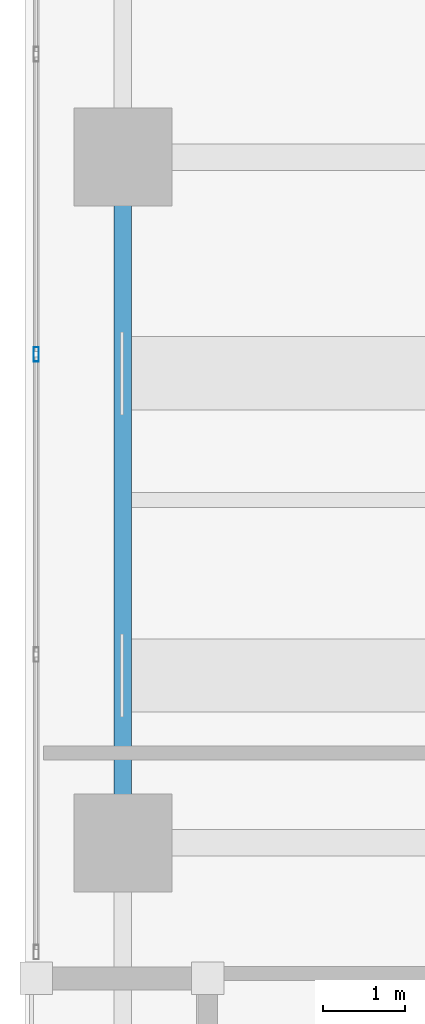
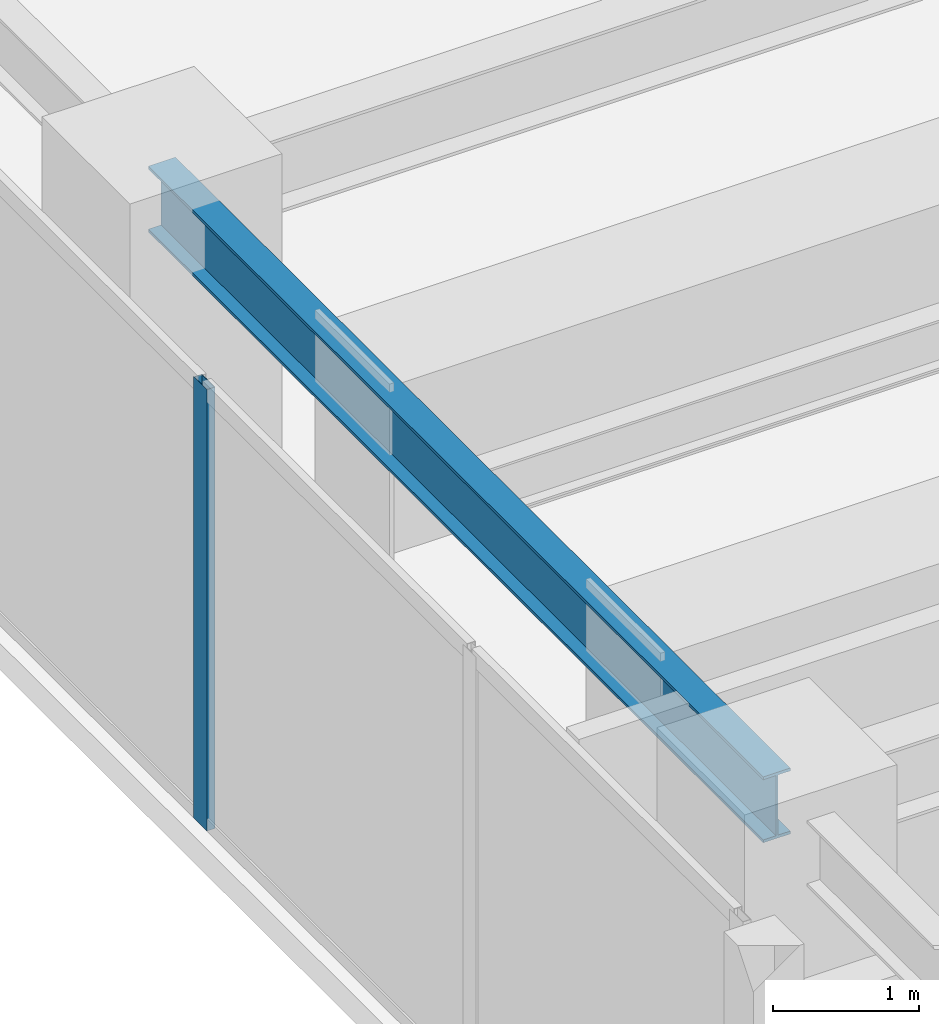
# One storey, part 5 of 30: 1 beam, 1 member, 1 element without a shape of its own.
"""IFC4 building model written with IfcOpenShell, lengths in metres."""

from ifc_helpers import new_model, si_unit, direction, frame, origin, origin_2d, place, context, subcontext, project, spatial, hollow_rectangle, i_section, extrude, material, layer, layer_set, material_profile, profile_set, type_object, element, aggregate, save


model = new_model("IFC4")

# Units and contexts
model_context = context("Model", 3, precision=1e-05, world=origin(), true_north=direction((0.0, 1.0)))
body_context = subcontext(model_context, "Body", "Model", "MODEL_VIEW")
ifc_project = project(units=[si_unit("LENGTHUNIT", "METRE"), si_unit("AREAUNIT", "SQUARE_METRE"), si_unit("VOLUMEUNIT", "CUBIC_METRE"), si_unit("PLANEANGLEUNIT", "RADIAN"), si_unit("MASSUNIT", "GRAM", prefix="KILO")], contexts=[model_context])

# Site, building, storey
site_placement = place(None, origin())
site = spatial("IfcSite", under=ifc_project, at=site_placement, CompositionType="ELEMENT")
building_placement = place(site_placement, origin())
building = spatial("IfcBuilding", under=site, at=building_placement, Name="Kiyonajd Concourse Tower", CompositionType="ELEMENT")
storey_placement = place(building_placement, frame((0.0, 0.0, 177.89990234375)))
storey = spatial("IfcBuildingStorey", under=building, at=storey_placement, Name="L45", CompositionType="ELEMENT", Elevation=177.89990234375)

# Beam
ifc_material_1 = material(Name="Steel ASTM A992 Grade 50", Category="steel")
ifc_material_profile_1 = material_profile(ifc_material_1, i_section(OverallWidth=0.214111328125, OverallDepth=0.549072265625, WebThickness=0.0146484375, FlangeThickness=0.023681640625, at=origin_2d()), Name="W530X138")
ifc_profile_set_1 = profile_set([ifc_material_profile_1], Name="Steel ASTM A992 Grade 50")
beam_type = type_object("IfcBeamType", Name="BM-SPAN-530A", PredefinedType="SPANDREL", material=ifc_profile_set_1)
beam_placement = place(storey_placement, frame((19.199951171875, 44.39990234375, 3.405517578125), z_axis=(0.0, -1.0, 0.0), x_axis=(1.0, 0.0, 0.0)))
element("IfcBeam", 1, at=beam_placement, inside=storey, type_object=beam_type, Name="L45 Perimeter Bundled Tube Spandrel", PredefinedType="SPANDREL", context=body_context, shape_type="SweptSolid", body=[
    extrude(i_section(OverallWidth=0.214111328125, OverallDepth=0.549072265625, WebThickness=0.0146484375, FlangeThickness=0.023681640625, at=origin_2d()), origin(), (0.0, 0.0, 1.0), 8.39990234375),
])

# Curtain wall, member
ifc_material_2 = material(Name="Thermally Broken Anodised Aluminium", Category="aluminium")
ifc_layer = layer(ifc_material_2, 0.179931640625)
ifc_layer_set = layer_set([ifc_layer], Name="Thermally Broken Anodised Aluminium")
curtain_wall_type = type_object("IfcCurtainWallType", Name="CW-SYS-03", PredefinedType="NOTDEFINED", material=ifc_layer_set)
curtain_wall_placement = place(storey_placement, origin())
curtain_wall = element("IfcCurtainWall", 2, at=curtain_wall_placement, inside=storey, type_object=curtain_wall_type, Name="L45 Unitised Curtain Wall CW3", PredefinedType="NOTDEFINED")
ifc_material_profile_2 = material_profile(ifc_material_2, hollow_rectangle(XDim=0.06494140625, YDim=0.179931640625, WallThickness=0.00390625, at=origin_2d()), Name="MULL-65x180")
ifc_profile_set_2 = profile_set([ifc_material_profile_2], Name="Thermally Broken Anodised Aluminium")
member_type = type_object("IfcMemberType", Name="MB-CW-MULL1", PredefinedType="MULLION", material=ifc_profile_set_2)
member_placement = place(storey_placement, frame((18.139892578125, 41.98388671875, 0.0), z_axis=(0.0, 0.0, 1.0), x_axis=(-1.0, 0.0, 0.0)))
member = element("IfcMember", 3, at=member_placement, type_object=member_type, Name="CW3 mullion 3", PredefinedType="MULLION", context=body_context, shape_type="SweptSolid", body=[
    extrude(hollow_rectangle(XDim=0.06494140625, YDim=0.179931640625, WallThickness=0.00390625, at=origin_2d()), origin(), (0.0, 0.0, 1.0), 3.68017578125),
])
aggregate(curtain_wall, [member])

save(model, "model.ifc")
